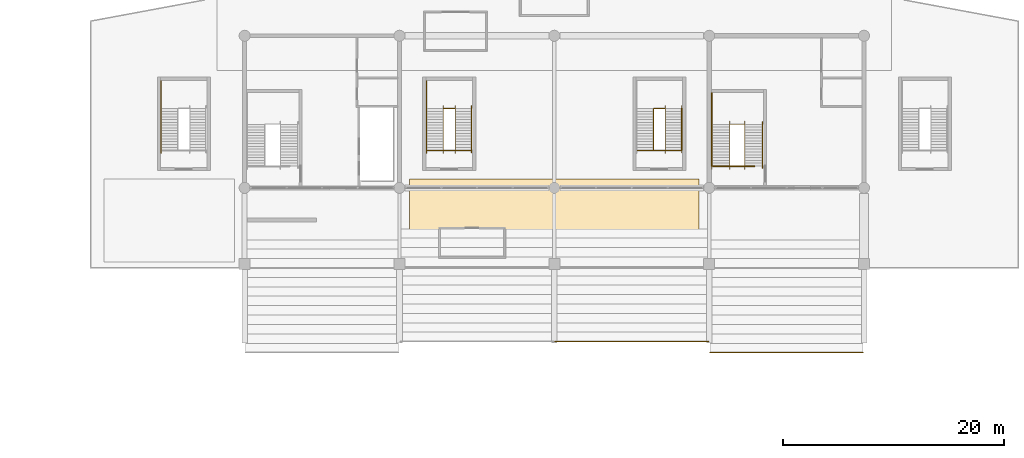
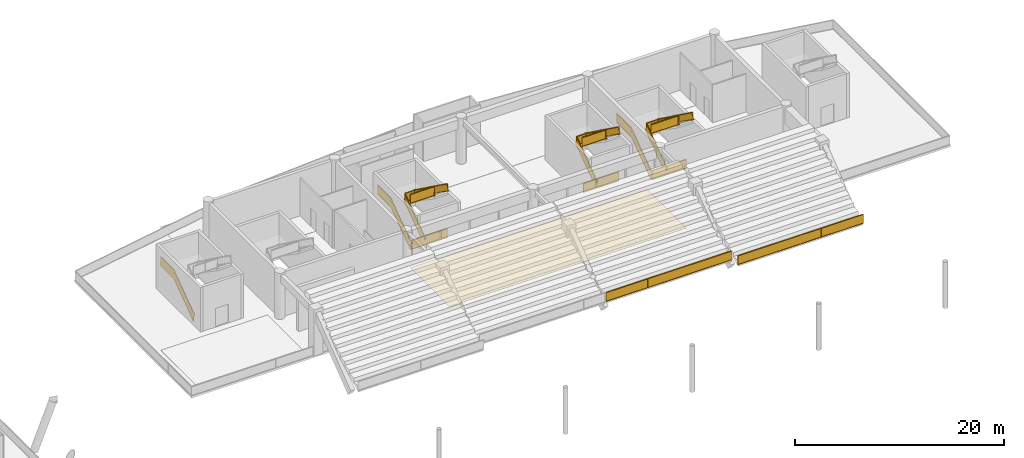
# One storey, part 115 of 117: 14 railings, 1 covering.
"""IFC4 building model written with IfcOpenShell, lengths in metres."""

import ifcopenshell
import ifcopenshell.guid

model = None  # the IFC model being written
_history = None  # IfcOwnerHistory: only IFC2X3 demands one
_inside = {}  # id of a spatial element -> (the spatial element, [elements in it])
_under = {}  # id of a project, library or spatial element -> (it, [spatial elements below it])
_declared = {}  # id of a project -> (the project, [libraries it declares])
_typed = {}  # id of a type object -> (the type object, [elements of that type])
_made_of = {}  # id of a material, layer set ... -> (it, [elements and type objects made of it])


def new_model(schema):
    """Start an empty IFC model of exactly this schema.

    Asked for "IFC4X3", IfcOpenShell would pick the latest addendum, in which some entities
    have other attributes; the version numbers below select the first issue.
    IFC2X3 requires an IfcOwnerHistory on every rooted entity: one is made here for all.
    """
    global model, _history
    if schema == "IFC4X3":
        model = ifcopenshell.file(schema_version=(4, 3, 0, 0))
    else:
        model = ifcopenshell.file(schema=schema)
    _inside.clear()
    _under.clear()
    _declared.clear()
    _typed.clear()
    _made_of.clear()
    _history = None
    if model.schema == "IFC2X3":
        org = make("IfcOrganization", Name="unknown")
        user = make(
            "IfcPersonAndOrganization",
            ThePerson=make("IfcPerson", FamilyName="unknown"),
            TheOrganization=org,
        )
        app = make(
            "IfcApplication",
            ApplicationDeveloper=org,
            Version="unknown",
            ApplicationFullName="unknown",
            ApplicationIdentifier="unknown",
        )
        _history = make(
            "IfcOwnerHistory",
            OwningUser=user,
            OwningApplication=app,
            ChangeAction="ADDED",
            CreationDate=0,
        )
    return model


def make(cls, **values):
    """One entity of the class cls with the attributes given. An attribute that is None is left unset."""
    return model.create_entity(
        cls, **{name: value for name, value in values.items() if value is not None}
    )


def rooted(cls, **values):
    """An entity with a GlobalId (a new one), such as an element, a storey or a relation."""
    return make(cls, GlobalId=ifcopenshell.guid.new(), OwnerHistory=_history, **values)


def si_unit(unit_type, name, prefix=None):
    """IfcSIUnit, for example si_unit("LENGTHUNIT", "METRE", prefix="MILLI")."""
    return make("IfcSIUnit", UnitType=unit_type, Prefix=prefix, Name=name)


def assignment(units):
    """IfcUnitAssignment: the units of a project."""
    return None if units is None else make("IfcUnitAssignment", Units=units)


def point(xyz):
    """IfcCartesianPoint."""
    return None if xyz is None else make("IfcCartesianPoint", Coordinates=xyz)


def direction(xyz):
    """IfcDirection."""
    return None if xyz is None else make("IfcDirection", DirectionRatios=xyz)


def frame(location, z_axis=None, x_axis=None):
    """IfcAxis2Placement3D, a coordinate frame: its origin and axes. An axis left out is left unset."""
    return make(
        "IfcAxis2Placement3D",
        Location=point(location),
        Axis=direction(z_axis),
        RefDirection=direction(x_axis),
    )


def frame_2d(location, x_axis=None):
    """IfcAxis2Placement2D, a coordinate frame in the plane: its origin and x axis."""
    return make(
        "IfcAxis2Placement2D", Location=point(location), RefDirection=direction(x_axis)
    )


def origin():
    """The frame at (0, 0, 0) with its axes left unset."""
    return frame((0.0, 0.0, 0.0))


def origin_2d():
    """The frame at (0, 0) in the plane with its x axis left unset."""
    return frame_2d((0.0, 0.0))


def place(relative_to, where):
    """IfcLocalPlacement: puts the frame where relative to a parent placement (None: the world)."""
    return make(
        "IfcLocalPlacement", PlacementRelTo=relative_to, RelativePlacement=where
    )


def context(
    kind, dimensions, precision=None, world=None, true_north=None, identifier=None
):
    """IfcGeometricRepresentationContext, for example the 3D "Model" context."""
    return make(
        "IfcGeometricRepresentationContext",
        ContextIdentifier=identifier,
        ContextType=kind,
        CoordinateSpaceDimension=dimensions,
        Precision=precision,
        WorldCoordinateSystem=world,
        TrueNorth=true_north,
    )


def subcontext(parent, identifier, kind, view, scale=None):
    """IfcGeometricRepresentationSubContext, for example "Body" below "Model"."""
    return make(
        "IfcGeometricRepresentationSubContext",
        ContextIdentifier=identifier,
        ContextType=kind,
        ParentContext=parent,
        TargetScale=scale,
        TargetView=view,
    )


def project(units=None, contexts=None):
    """IfcProject with its units and contexts."""
    return rooted(
        "IfcProject",
        Name="project",
        RepresentationContexts=contexts,
        UnitsInContext=assignment(units),
    )


def spatial(cls, under=None, at=None, **own):
    """A site, building, storey or space (cls), placed at a placement, below another one or the project."""
    s = rooted(cls, ObjectPlacement=at, **own)
    if under is not None:
        _under.setdefault(under.id(), (under, []))[1].append(s)
    return s


def polyline(points):
    """IfcPolyline through the points."""
    return make("IfcPolyline", Points=[point(p) for p in points])


def profile(cls, at=None, kind="AREA", **sizes):
    """A parametric profile (cls). Its sizes go by their IFC names, for example OverallWidth=200.0."""
    return make(cls, ProfileType=kind, Position=at, **sizes)


def rectangle(**sizes):
    """IfcRectangleProfileDef."""
    return profile("IfcRectangleProfileDef", **sizes)


def outline(outer, holes=None, kind="AREA"):
    """IfcArbitraryClosedProfileDef: a profile drawn as a closed curve; with holes, ...WithVoids."""
    if holes is None:
        return make("IfcArbitraryClosedProfileDef", ProfileType=kind, OuterCurve=outer)
    return make(
        "IfcArbitraryProfileDefWithVoids",
        ProfileType=kind,
        OuterCurve=outer,
        InnerCurves=holes,
    )


def extrude(swept, where, along, depth):
    """IfcExtrudedAreaSolid: the profile swept, set in the frame where, extruded along a direction by depth."""
    return make(
        "IfcExtrudedAreaSolid",
        SweptArea=swept,
        Position=where,
        ExtrudedDirection=direction(along),
        Depth=depth,
    )


def shape(context_of_items, identifier, shape_type, items):
    """IfcShapeRepresentation: the items that make up one representation, for example the "Body"."""
    return make(
        "IfcShapeRepresentation",
        ContextOfItems=context_of_items,
        RepresentationIdentifier=identifier,
        RepresentationType=shape_type,
        Items=items,
    )


def material(Name=None, Category=None):
    """IfcMaterial."""
    return make("IfcMaterial", Name=Name, Category=Category)


def layer(
    of_material, thickness, ventilated=None, Name=None, Category=None, Priority=None
):
    """IfcMaterialLayer: one layer of a wall or slab, of a material (None: an air gap)."""
    return make(
        "IfcMaterialLayer",
        Material=of_material,
        LayerThickness=thickness,
        IsVentilated=ventilated,
        Name=Name,
        Category=Category,
        Priority=Priority,
    )


def layer_set(layers, Name=None):
    """IfcMaterialLayerSet."""
    return make("IfcMaterialLayerSet", MaterialLayers=layers, LayerSetName=Name)


def made_of(thing, what):
    """Note that an element or type object is made of a material, layer set ...; save() writes the relation."""
    if what is not None:
        _made_of.setdefault(what.id(), (what, []))[1].append(thing)
    return thing


def type_object(cls, material=None, **own):
    """A type object (cls), such as IfcWallType, which elements share."""
    return made_of(rooted(cls, **own), material)


def element(
    cls,
    number,
    at=None,
    inside=None,
    cuts=None,
    type_object=None,
    material=None,
    context=None,
    identifier="Body",
    shape_type=None,
    held_by="IfcProductDefinitionShape",
    body=None,
    shapes=None,
    **own,
):
    """One element of the class cls, such as IfcWall. Its Tag is "e" and its number.

    at: its placement. inside: the storey or other place that contains it. cuts: it is an
    opening in that element (IfcRelVoidsElement). A single representation is given by context,
    identifier, shape_type and body (its items); several are given by shapes. held_by: the class
    of the entity that holds the representations. save() writes the other relations.
    """
    e = rooted(cls, Tag="e%d" % number, ObjectPlacement=at, **own)
    if body is not None:
        shapes = [shape(context, identifier, shape_type, body)]
    if shapes is not None:
        e.Representation = make(held_by, Representations=shapes)
    if inside is not None:
        _inside.setdefault(inside.id(), (inside, []))[1].append(e)
    if cuts is not None:
        rooted(
            "IfcRelVoidsElement", RelatingBuildingElement=cuts, RelatedOpeningElement=e
        )
    if type_object is not None:
        _typed.setdefault(type_object.id(), (type_object, []))[1].append(e)
    return made_of(e, material)


def aggregate(whole, parts):
    """IfcRelAggregates: a whole, such as a stair, and the parts it consists of."""
    return rooted("IfcRelAggregates", RelatingObject=whole, RelatedObjects=parts)


def save(model, path):
    """Write the relations noted so far, then the file.

    IfcRelAggregates (storeys below a building ...), IfcRelContainedInSpatialStructure (elements
    in a storey), IfcRelDefinesByType, IfcRelAssociatesMaterial and IfcRelDeclares: one each for
    every whole, place, type object, material and project.
    """
    for whole, parts in _under.values():
        aggregate(whole, parts)
    for where, things in _inside.values():
        rooted(
            "IfcRelContainedInSpatialStructure",
            RelatedElements=things,
            RelatingStructure=where,
        )
    for kind, things in _typed.values():
        rooted("IfcRelDefinesByType", RelatedObjects=things, RelatingType=kind)
    for what, things in _made_of.values():
        rooted("IfcRelAssociatesMaterial", RelatedObjects=things, RelatingMaterial=what)
    for by, libraries in _declared.values():
        rooted("IfcRelDeclares", RelatingContext=by, RelatedDefinitions=libraries)
    model.write(path)


model = new_model("IFC4")

# Units and contexts
model_context = context("Model", 3, precision=1e-05, world=origin(), true_north=direction((0.0, 1.0)))
body_context = subcontext(model_context, "Body", "Model", "MODEL_VIEW")
ifc_project = project(units=[si_unit("LENGTHUNIT", "METRE"), si_unit("AREAUNIT", "SQUARE_METRE"), si_unit("VOLUMEUNIT", "CUBIC_METRE"), si_unit("PLANEANGLEUNIT", "RADIAN"), si_unit("MASSUNIT", "GRAM", prefix="KILO")], contexts=[model_context])

# Site, building, storey
site_placement = place(None, origin())
site = spatial("IfcSite", under=ifc_project, at=site_placement, CompositionType="ELEMENT")
building_placement = place(site_placement, origin())
building = spatial("IfcBuilding", under=site, at=building_placement, Name="Linyun Crest Stadium", CompositionType="ELEMENT")
storey_placement = place(building_placement, frame((0.0, 0.0, 6.0)))
storey = spatial("IfcBuildingStorey", under=building, at=storey_placement, Name="L02", CompositionType="ELEMENT", Elevation=6.0)

# Covering
ifc_material_1 = material(Name="Terrazzo concourse and hospitality floor finish")
ifc_layer = layer(ifc_material_1, 0.02197265625)
ifc_layer_set = layer_set([ifc_layer], Name="Terrazzo concourse and hospitality floor finish")
covering_type = type_object("IfcCoveringType", Name="FLR02", PredefinedType="FLOORING", material=ifc_layer_set)
covering_placement = place(storey_placement, origin())
element("IfcCovering", 1, at=covering_placement, inside=storey, type_object=covering_type, Name="Terrazzo flooring FLR02 25", PredefinedType="FLOORING", context=body_context, shape_type="SweptSolid", body=[
    extrude(outline(polyline([(-13.10009765625, 84.800048828125), (13.10009765625, 84.800048828125), (13.10009765625, 92.300048828125), (-13.10009765625, 92.300048828125), (-13.10009765625, 84.800048828125)])), origin(), (0.0, 0.0, 1.0), 0.02197265625),
])

# Railings
ifc_material_2 = material(Name="Galvanized and powder-coated steel bowl safety barrier", Category="steel")
railing_type_1 = type_object("IfcRailingType", Name="GR02", PredefinedType="GUARDRAIL", material=ifc_material_2)
for number, where, name in (
    (2, (0.080078125, 77.60009765625, 0.35009765625), "Bowl front safety guard GR02 72"),
    (3, (14.080078125, 76.60009765625, 0.35009765625), "Bowl front safety guard GR02 79"),
):
    element("IfcRailing", number, at=place(storey_placement, frame(where)), inside=storey, type_object=railing_type_1, Name=name, PredefinedType="GUARDRAIL", context=body_context, shape_type="SweptSolid", body=[
        extrude(rectangle(XDim=0.06005859375, YDim=0.06005859375, at=origin_2d()), frame((0.0, 0.0, 1.090087890625), z_axis=(1.0, 0.0, 0.0), x_axis=(0.0, 1.0, 0.0)), (0.0, 0.0, 1.0), 13.83984375),
        extrude(rectangle(XDim=0.030029296875, YDim=1.0, at=origin_2d()), frame((0.0, 0.0, 0.56005859375), z_axis=(1.0, 0.0, 0.0), x_axis=(0.0, 1.0, 0.0)), (0.0, 0.0, 1.0), 13.83984375),
        extrude(rectangle(XDim=0.06005859375, YDim=0.06005859375, at=origin_2d()), frame((0.0, 0.0, 0.030029296875), z_axis=(1.0, 0.0, 0.0), x_axis=(0.0, 1.0, 0.0)), (0.0, 0.0, 1.0), 13.83984375),
        extrude(rectangle(XDim=0.050048828125, YDim=0.050048828125, at=origin_2d()), origin(), (0.0, 0.0, 1.0), 1.1201171875),
        extrude(rectangle(XDim=0.050048828125, YDim=0.050048828125, at=origin_2d()), frame((2.306640625, 0.0, 0.0)), (0.0, 0.0, 1.0), 1.1201171875),
        extrude(rectangle(XDim=0.050048828125, YDim=0.050048828125, at=origin_2d()), frame((4.61328125, 0.0, 0.0)), (0.0, 0.0, 1.0), 1.1201171875),
        extrude(rectangle(XDim=0.050048828125, YDim=0.050048828125, at=origin_2d()), frame((6.919921875, 0.0, 0.0)), (0.0, 0.0, 1.0), 1.1201171875),
        extrude(rectangle(XDim=0.050048828125, YDim=0.050048828125, at=origin_2d()), frame((9.2265625, 0.0, 0.0)), (0.0, 0.0, 1.0), 1.1201171875),
        extrude(rectangle(XDim=0.050048828125, YDim=0.050048828125, at=origin_2d()), frame((11.533203125, 0.0, 0.0)), (0.0, 0.0, 1.0), 1.1201171875),
        extrude(rectangle(XDim=0.050048828125, YDim=0.050048828125, at=origin_2d()), frame((13.83984375, 0.0, 0.0)), (0.0, 0.0, 1.0), 1.1201171875),
    ])
railing_1_placement = place(storey_placement, frame((14.340087890625, 93.4599609375, 0.0)))
element("IfcRailing", 4, at=railing_1_placement, inside=storey, type_object=railing_type_1, Name="Slab edge balustrade GR02 199", PredefinedType="GUARDRAIL", context=body_context, shape_type="SweptSolid", body=[
    extrude(rectangle(XDim=0.06005859375, YDim=0.06005859375, at=origin_2d()), frame((0.0, 0.0, 1.090087890625), z_axis=(1.0, 0.0, 0.0), x_axis=(0.0, 1.0, 0.0)), (0.0, 0.0, 1.0), 3.760009765625),
    extrude(rectangle(XDim=0.030029296875, YDim=1.0, at=origin_2d()), frame((0.0, 0.0, 0.56005859375), z_axis=(1.0, 0.0, 0.0), x_axis=(0.0, 1.0, 0.0)), (0.0, 0.0, 1.0), 3.760009765625),
    extrude(rectangle(XDim=0.06005859375, YDim=0.06005859375, at=origin_2d()), frame((0.0, 0.0, 0.030029296875), z_axis=(1.0, 0.0, 0.0), x_axis=(0.0, 1.0, 0.0)), (0.0, 0.0, 1.0), 3.760009765625),
    extrude(rectangle(XDim=0.050048828125, YDim=0.050048828125, at=origin_2d()), origin(), (0.0, 0.0, 1.0), 1.1201171875),
    extrude(rectangle(XDim=0.050048828125, YDim=0.050048828125, at=origin_2d()), frame((3.760009765625, 0.0, 0.0)), (0.0, 0.0, 1.0), 1.1201171875),
])
for number, where, name in (
    (5, (7.5400390625, 94.889892578125, 0.0), "Slab edge balustrade GR02 200"),
    (6, (-11.4599609375, 94.889892578125, 0.0), "Slab edge balustrade GR02 201"),
):
    element("IfcRailing", number, at=place(storey_placement, frame(where)), inside=storey, type_object=railing_type_1, Name=name, PredefinedType="GUARDRAIL", context=body_context, shape_type="SweptSolid", body=[
        extrude(rectangle(XDim=0.06005859375, YDim=0.06005859375, at=origin_2d()), frame((0.0, 0.0, 1.090087890625), z_axis=(1.0, 0.0, 0.0), x_axis=(0.0, 1.0, 0.0)), (0.0, 0.0, 1.0), 3.919921875),
        extrude(rectangle(XDim=0.030029296875, YDim=1.0, at=origin_2d()), frame((0.0, 0.0, 0.56005859375), z_axis=(1.0, 0.0, 0.0), x_axis=(0.0, 1.0, 0.0)), (0.0, 0.0, 1.0), 3.919921875),
        extrude(rectangle(XDim=0.06005859375, YDim=0.06005859375, at=origin_2d()), frame((0.0, 0.0, 0.030029296875), z_axis=(1.0, 0.0, 0.0), x_axis=(0.0, 1.0, 0.0)), (0.0, 0.0, 1.0), 3.919921875),
        extrude(rectangle(XDim=0.050048828125, YDim=0.050048828125, at=origin_2d()), origin(), (0.0, 0.0, 1.0), 1.1201171875),
        extrude(rectangle(XDim=0.050048828125, YDim=0.050048828125, at=origin_2d()), frame((3.919921875, 0.0, 0.0)), (0.0, 0.0, 1.0), 1.1201171875),
    ])
ifc_material_3 = material(Name="Painted steel stairwell safety guard", Category="steel")
railing_type_2 = type_object("IfcRailingType", Name="GR03", PredefinedType="GUARDRAIL", material=ifc_material_3)
railing_2_placement = place(storey_placement, frame((14.22998046875, 93.489990234375, 0.0)))
element("IfcRailing", 7, at=railing_2_placement, inside=storey, type_object=railing_type_2, Name="STR-08-L02 outer guard", PredefinedType="GUARDRAIL", context=body_context, shape_type="SweptSolid", body=[
    extrude(rectangle(XDim=0.06005859375, YDim=0.06005859375, at=origin_2d()), frame((0.0, 0.0, 1.090087890625), z_axis=(0.0, 0.811539352079, 0.584297766578), x_axis=(-1.0, 0.0, 0.0)), (0.0, 0.0, 1.0), 4.620849609375),
    extrude(rectangle(XDim=0.030029296875, YDim=1.0, at=origin_2d()), frame((0.0, 0.0, 0.56005859375), z_axis=(0.0, 0.811539352079, 0.584297766578), x_axis=(-1.0, 0.0, 0.0)), (0.0, 0.0, 1.0), 4.620849609375),
    extrude(rectangle(XDim=0.06005859375, YDim=0.06005859375, at=origin_2d()), frame((0.0, 0.0, 0.030029296875), z_axis=(0.0, 0.811539352079, 0.584297766578), x_axis=(-1.0, 0.0, 0.0)), (0.0, 0.0, 1.0), 4.620849609375),
    extrude(rectangle(XDim=0.06005859375, YDim=0.06005859375, at=origin_2d()), frame((0.0, 3.75, 3.7900390625), z_axis=(0.0, 1.0, 0.0), x_axis=(-1.0, 0.0, 0.0)), (0.0, 0.0, 1.0), 2.830078125),
    extrude(rectangle(XDim=0.030029296875, YDim=1.0, at=origin_2d()), frame((0.0, 3.75, 3.260009765625), z_axis=(0.0, 1.0, 0.0), x_axis=(-1.0, 0.0, 0.0)), (0.0, 0.0, 1.0), 2.830078125),
    extrude(rectangle(XDim=0.06005859375, YDim=0.06005859375, at=origin_2d()), frame((0.0, 3.75, 2.72998046875), z_axis=(0.0, 1.0, 0.0), x_axis=(-1.0, 0.0, 0.0)), (0.0, 0.0, 1.0), 2.830078125),
    extrude(rectangle(XDim=0.050048828125, YDim=0.050048828125, at=origin_2d()), origin(), (0.0, 0.0, 1.0), 1.1201171875),
    extrude(rectangle(XDim=0.050048828125, YDim=0.050048828125, at=origin_2d()), frame((0.0, 1.25, 0.89990234375)), (0.0, 0.0, 1.0), 1.1201171875),
    extrude(rectangle(XDim=0.050048828125, YDim=0.050048828125, at=origin_2d()), frame((0.0, 2.5, 1.800048828125)), (0.0, 0.0, 1.0), 1.1201171875),
    extrude(rectangle(XDim=0.050048828125, YDim=0.050048828125, at=origin_2d()), frame((0.0, 3.75, 2.699951171875)), (0.0, 0.0, 1.0), 1.1201171875),
    extrude(rectangle(XDim=0.050048828125, YDim=0.050048828125, at=origin_2d()), frame((0.0, 5.1650390625, 2.699951171875)), (0.0, 0.0, 1.0), 1.1201171875),
    extrude(rectangle(XDim=0.050048828125, YDim=0.050048828125, at=origin_2d()), frame((0.0, 6.580078125, 2.699951171875)), (0.0, 0.0, 1.0), 1.1201171875),
])
railing_3_placement = place(storey_placement, frame((15.8701171875, 93.469970703125, 0.0)))
element("IfcRailing", 8, at=railing_3_placement, inside=storey, type_object=railing_type_2, Name="STR-08-L02 inner well guard", PredefinedType="GUARDRAIL", context=body_context, shape_type="SweptSolid", body=[
    extrude(rectangle(XDim=0.06005859375, YDim=0.06005859375, at=origin_2d()), frame((0.0, 0.0, 1.090087890625), z_axis=(0.0, 0.813010693788, 0.582248754216), x_axis=(-1.0, 0.0, 0.0)), (0.0, 0.0, 1.0), 4.63720703125),
    extrude(rectangle(XDim=0.030029296875, YDim=1.0, at=origin_2d()), frame((0.0, 0.0, 0.56005859375), z_axis=(0.0, 0.813010693788, 0.582248754216), x_axis=(-1.0, 0.0, 0.0)), (0.0, 0.0, 1.0), 4.63720703125),
    extrude(rectangle(XDim=0.06005859375, YDim=0.06005859375, at=origin_2d()), frame((0.0, 0.0, 0.030029296875), z_axis=(0.0, 0.813010693788, 0.582248754216), x_axis=(-1.0, 0.0, 0.0)), (0.0, 0.0, 1.0), 4.63720703125),
    extrude(rectangle(XDim=0.06005859375, YDim=0.06005859375, at=origin_2d()), frame((0.0, 3.77001953125, 3.7900390625), z_axis=(1.0, 0.0, 0.0), x_axis=(0.0, 1.0, 0.0)), (0.0, 0.0, 1.0), 1.35986328125),
    extrude(rectangle(XDim=0.030029296875, YDim=1.0, at=origin_2d()), frame((0.0, 3.77001953125, 3.260009765625), z_axis=(1.0, 0.0, 0.0), x_axis=(0.0, 1.0, 0.0)), (0.0, 0.0, 1.0), 1.35986328125),
    extrude(rectangle(XDim=0.06005859375, YDim=0.06005859375, at=origin_2d()), frame((0.0, 3.77001953125, 2.72998046875), z_axis=(1.0, 0.0, 0.0), x_axis=(0.0, 1.0, 0.0)), (0.0, 0.0, 1.0), 1.35986328125),
    extrude(rectangle(XDim=0.06005859375, YDim=0.06005859375, at=origin_2d()), frame((1.35986328125, 3.77001953125, 3.7900390625), z_axis=(0.0, -0.813010693788, 0.582248754216), x_axis=(1.0, 0.0, 0.0)), (0.0, 0.0, 1.0), 4.63720703125),
    extrude(rectangle(XDim=0.030029296875, YDim=1.0, at=origin_2d()), frame((1.35986328125, 3.77001953125, 3.260009765625), z_axis=(0.0, -0.813010693788, 0.582248754216), x_axis=(1.0, 0.0, 0.0)), (0.0, 0.0, 1.0), 4.63720703125),
    extrude(rectangle(XDim=0.06005859375, YDim=0.06005859375, at=origin_2d()), frame((1.35986328125, 3.77001953125, 2.72998046875), z_axis=(0.0, -0.813010693788, 0.582248754216), x_axis=(1.0, 0.0, 0.0)), (0.0, 0.0, 1.0), 4.63720703125),
    extrude(rectangle(XDim=0.06005859375, YDim=0.06005859375, at=origin_2d()), frame((1.35986328125, 0.0, 6.489990234375), z_axis=(-1.0, 0.0, 0.0), x_axis=(0.0, -1.0, 0.0)), (0.0, 0.0, 1.0), 3.010009765625),
    extrude(rectangle(XDim=0.030029296875, YDim=1.0, at=origin_2d()), frame((1.35986328125, 0.0, 5.9599609375), z_axis=(-1.0, 0.0, 0.0), x_axis=(0.0, -1.0, 0.0)), (0.0, 0.0, 1.0), 3.010009765625),
    extrude(rectangle(XDim=0.06005859375, YDim=0.06005859375, at=origin_2d()), frame((1.35986328125, 0.0, 5.429931640625), z_axis=(-1.0, 0.0, 0.0), x_axis=(0.0, -1.0, 0.0)), (0.0, 0.0, 1.0), 3.010009765625),
    extrude(rectangle(XDim=0.050048828125, YDim=0.050048828125, at=origin_2d()), origin(), (0.0, 0.0, 1.0), 1.1201171875),
    extrude(rectangle(XDim=0.050048828125, YDim=0.050048828125, at=origin_2d()), frame((0.0, 1.256591796875, 0.89990234375)), (0.0, 0.0, 1.0), 1.1201171875),
    extrude(rectangle(XDim=0.050048828125, YDim=0.050048828125, at=origin_2d()), frame((0.0, 2.513427734375, 1.800048828125)), (0.0, 0.0, 1.0), 1.1201171875),
    extrude(rectangle(XDim=0.050048828125, YDim=0.050048828125, at=origin_2d()), frame((0.0, 3.77001953125, 2.699951171875)), (0.0, 0.0, 1.0), 1.1201171875),
    extrude(rectangle(XDim=0.050048828125, YDim=0.050048828125, at=origin_2d()), frame((1.35986328125, 3.77001953125, 2.699951171875)), (0.0, 0.0, 1.0), 1.1201171875),
    extrude(rectangle(XDim=0.050048828125, YDim=0.050048828125, at=origin_2d()), frame((1.35986328125, 2.513427734375, 3.599853515625)), (0.0, 0.0, 1.0), 1.1201171875),
    extrude(rectangle(XDim=0.050048828125, YDim=0.050048828125, at=origin_2d()), frame((1.35986328125, 1.256591796875, 4.5)), (0.0, 0.0, 1.0), 1.1201171875),
    extrude(rectangle(XDim=0.050048828125, YDim=0.050048828125, at=origin_2d()), frame((1.35986328125, 0.0, 5.39990234375)), (0.0, 0.0, 1.0), 1.1201171875),
    extrude(rectangle(XDim=0.050048828125, YDim=0.050048828125, at=origin_2d()), frame((-0.14501953125, 0.0, 5.39990234375)), (0.0, 0.0, 1.0), 1.1201171875),
    extrude(rectangle(XDim=0.050048828125, YDim=0.050048828125, at=origin_2d()), frame((-1.650146484375, 0.0, 5.39990234375)), (0.0, 0.0, 1.0), 1.1201171875),
])
railing_4_placement = place(storey_placement, frame((-35.570068359375, 94.919921875, 0.0)))
element("IfcRailing", 9, at=railing_4_placement, inside=storey, type_object=railing_type_2, Name="STR-23-L02 outer guard", PredefinedType="GUARDRAIL", context=body_context, shape_type="SweptSolid", body=[
    extrude(rectangle(XDim=0.06005859375, YDim=0.06005859375, at=origin_2d()), frame((0.0, 0.0, 1.090087890625), z_axis=(0.0, 0.811539352079, 0.584297766578), x_axis=(-1.0, 0.0, 0.0)), (0.0, 0.0, 1.0), 4.620849609375),
    extrude(rectangle(XDim=0.030029296875, YDim=1.0, at=origin_2d()), frame((0.0, 0.0, 0.56005859375), z_axis=(0.0, 0.811539352079, 0.584297766578), x_axis=(-1.0, 0.0, 0.0)), (0.0, 0.0, 1.0), 4.620849609375),
    extrude(rectangle(XDim=0.06005859375, YDim=0.06005859375, at=origin_2d()), frame((0.0, 0.0, 0.030029296875), z_axis=(0.0, 0.811539352079, 0.584297766578), x_axis=(-1.0, 0.0, 0.0)), (0.0, 0.0, 1.0), 4.620849609375),
    extrude(rectangle(XDim=0.06005859375, YDim=0.06005859375, at=origin_2d()), frame((0.0, 3.75, 3.7900390625), z_axis=(0.0, 1.0, 0.0), x_axis=(-1.0, 0.0, 0.0)), (0.0, 0.0, 1.0), 2.5),
    extrude(rectangle(XDim=0.030029296875, YDim=1.0, at=origin_2d()), frame((0.0, 3.75, 3.260009765625), z_axis=(0.0, 1.0, 0.0), x_axis=(-1.0, 0.0, 0.0)), (0.0, 0.0, 1.0), 2.5),
    extrude(rectangle(XDim=0.06005859375, YDim=0.06005859375, at=origin_2d()), frame((0.0, 3.75, 2.72998046875), z_axis=(0.0, 1.0, 0.0), x_axis=(-1.0, 0.0, 0.0)), (0.0, 0.0, 1.0), 2.5),
    extrude(rectangle(XDim=0.050048828125, YDim=0.050048828125, at=origin_2d()), origin(), (0.0, 0.0, 1.0), 1.1201171875),
    extrude(rectangle(XDim=0.050048828125, YDim=0.050048828125, at=origin_2d()), frame((0.0, 1.25, 0.89990234375)), (0.0, 0.0, 1.0), 1.1201171875),
    extrude(rectangle(XDim=0.050048828125, YDim=0.050048828125, at=origin_2d()), frame((0.0, 2.5, 1.800048828125)), (0.0, 0.0, 1.0), 1.1201171875),
    extrude(rectangle(XDim=0.050048828125, YDim=0.050048828125, at=origin_2d()), frame((0.0, 3.75, 2.699951171875)), (0.0, 0.0, 1.0), 1.1201171875),
    extrude(rectangle(XDim=0.050048828125, YDim=0.050048828125, at=origin_2d()), frame((0.0, 5.0, 2.699951171875)), (0.0, 0.0, 1.0), 1.1201171875),
    extrude(rectangle(XDim=0.050048828125, YDim=0.050048828125, at=origin_2d()), frame((0.0, 6.25, 2.699951171875)), (0.0, 0.0, 1.0), 1.1201171875),
])
railing_5_placement = place(storey_placement, frame((-11.570068359375, 94.919921875, 0.0)))
element("IfcRailing", 10, at=railing_5_placement, inside=storey, type_object=railing_type_2, Name="STR-24-L02 outer guard", PredefinedType="GUARDRAIL", context=body_context, shape_type="SweptSolid", body=[
    extrude(rectangle(XDim=0.06005859375, YDim=0.06005859375, at=origin_2d()), frame((0.0, 0.0, 1.090087890625), z_axis=(0.0, 0.811539352079, 0.584297766578), x_axis=(-1.0, 0.0, 0.0)), (0.0, 0.0, 1.0), 4.620849609375),
    extrude(rectangle(XDim=0.030029296875, YDim=1.0, at=origin_2d()), frame((0.0, 0.0, 0.56005859375), z_axis=(0.0, 0.811539352079, 0.584297766578), x_axis=(-1.0, 0.0, 0.0)), (0.0, 0.0, 1.0), 4.620849609375),
    extrude(rectangle(XDim=0.06005859375, YDim=0.06005859375, at=origin_2d()), frame((0.0, 0.0, 0.030029296875), z_axis=(0.0, 0.811539352079, 0.584297766578), x_axis=(-1.0, 0.0, 0.0)), (0.0, 0.0, 1.0), 4.620849609375),
    extrude(rectangle(XDim=0.06005859375, YDim=0.06005859375, at=origin_2d()), frame((0.0, 3.75, 3.7900390625), z_axis=(0.0, 1.0, 0.0), x_axis=(-1.0, 0.0, 0.0)), (0.0, 0.0, 1.0), 2.5),
    extrude(rectangle(XDim=0.030029296875, YDim=1.0, at=origin_2d()), frame((0.0, 3.75, 3.260009765625), z_axis=(0.0, 1.0, 0.0), x_axis=(-1.0, 0.0, 0.0)), (0.0, 0.0, 1.0), 2.5),
    extrude(rectangle(XDim=0.06005859375, YDim=0.06005859375, at=origin_2d()), frame((0.0, 3.75, 2.72998046875), z_axis=(0.0, 1.0, 0.0), x_axis=(-1.0, 0.0, 0.0)), (0.0, 0.0, 1.0), 2.5),
    extrude(rectangle(XDim=0.050048828125, YDim=0.050048828125, at=origin_2d()), origin(), (0.0, 0.0, 1.0), 1.1201171875),
    extrude(rectangle(XDim=0.050048828125, YDim=0.050048828125, at=origin_2d()), frame((0.0, 1.25, 0.89990234375)), (0.0, 0.0, 1.0), 1.1201171875),
    extrude(rectangle(XDim=0.050048828125, YDim=0.050048828125, at=origin_2d()), frame((0.0, 2.5, 1.800048828125)), (0.0, 0.0, 1.0), 1.1201171875),
    extrude(rectangle(XDim=0.050048828125, YDim=0.050048828125, at=origin_2d()), frame((0.0, 3.75, 2.699951171875)), (0.0, 0.0, 1.0), 1.1201171875),
    extrude(rectangle(XDim=0.050048828125, YDim=0.050048828125, at=origin_2d()), frame((0.0, 5.0, 2.699951171875)), (0.0, 0.0, 1.0), 1.1201171875),
    extrude(rectangle(XDim=0.050048828125, YDim=0.050048828125, at=origin_2d()), frame((0.0, 6.25, 2.699951171875)), (0.0, 0.0, 1.0), 1.1201171875),
])
railing_6_placement = place(storey_placement, frame((-10.030029296875, 94.89990234375, 0.0)))
element("IfcRailing", 11, at=railing_6_placement, inside=storey, type_object=railing_type_2, Name="STR-24-L02 inner well guard", PredefinedType="GUARDRAIL", context=body_context, shape_type="SweptSolid", body=[
    extrude(rectangle(XDim=0.06005859375, YDim=0.06005859375, at=origin_2d()), frame((0.0, 0.0, 1.090087890625), z_axis=(0.0, 0.813010693788, 0.582248754216), x_axis=(-1.0, 0.0, 0.0)), (0.0, 0.0, 1.0), 4.63720703125),
    extrude(rectangle(XDim=0.030029296875, YDim=1.0, at=origin_2d()), frame((0.0, 0.0, 0.56005859375), z_axis=(0.0, 0.813010693788, 0.582248754216), x_axis=(-1.0, 0.0, 0.0)), (0.0, 0.0, 1.0), 4.63720703125),
    extrude(rectangle(XDim=0.06005859375, YDim=0.06005859375, at=origin_2d()), frame((0.0, 0.0, 0.030029296875), z_axis=(0.0, 0.813010693788, 0.582248754216), x_axis=(-1.0, 0.0, 0.0)), (0.0, 0.0, 1.0), 4.63720703125),
    extrude(rectangle(XDim=0.06005859375, YDim=0.06005859375, at=origin_2d()), frame((0.0, 3.77001953125, 3.7900390625), z_axis=(1.0, 0.0, 0.0), x_axis=(0.0, 1.0, 0.0)), (0.0, 0.0, 1.0), 1.06005859375),
    extrude(rectangle(XDim=0.030029296875, YDim=1.0, at=origin_2d()), frame((0.0, 3.77001953125, 3.260009765625), z_axis=(1.0, 0.0, 0.0), x_axis=(0.0, 1.0, 0.0)), (0.0, 0.0, 1.0), 1.06005859375),
    extrude(rectangle(XDim=0.06005859375, YDim=0.06005859375, at=origin_2d()), frame((0.0, 3.77001953125, 2.72998046875), z_axis=(1.0, 0.0, 0.0), x_axis=(0.0, 1.0, 0.0)), (0.0, 0.0, 1.0), 1.06005859375),
    extrude(rectangle(XDim=0.06005859375, YDim=0.06005859375, at=origin_2d()), frame((1.06005859375, 3.77001953125, 3.7900390625), z_axis=(0.0, -0.813010693788, 0.582248754216), x_axis=(1.0, 0.0, 0.0)), (0.0, 0.0, 1.0), 4.63720703125),
    extrude(rectangle(XDim=0.030029296875, YDim=1.0, at=origin_2d()), frame((1.06005859375, 3.77001953125, 3.260009765625), z_axis=(0.0, -0.813010693788, 0.582248754216), x_axis=(1.0, 0.0, 0.0)), (0.0, 0.0, 1.0), 4.63720703125),
    extrude(rectangle(XDim=0.06005859375, YDim=0.06005859375, at=origin_2d()), frame((1.06005859375, 3.77001953125, 2.72998046875), z_axis=(0.0, -0.813010693788, 0.582248754216), x_axis=(1.0, 0.0, 0.0)), (0.0, 0.0, 1.0), 4.63720703125),
    extrude(rectangle(XDim=0.06005859375, YDim=0.06005859375, at=origin_2d()), frame((1.06005859375, 0.0, 6.489990234375), z_axis=(-1.0, 0.0, 0.0), x_axis=(0.0, -1.0, 0.0)), (0.0, 0.0, 1.0), 2.610107421875),
    extrude(rectangle(XDim=0.030029296875, YDim=1.0, at=origin_2d()), frame((1.06005859375, 0.0, 5.9599609375), z_axis=(-1.0, 0.0, 0.0), x_axis=(0.0, -1.0, 0.0)), (0.0, 0.0, 1.0), 2.610107421875),
    extrude(rectangle(XDim=0.06005859375, YDim=0.06005859375, at=origin_2d()), frame((1.06005859375, 0.0, 5.429931640625), z_axis=(-1.0, 0.0, 0.0), x_axis=(0.0, -1.0, 0.0)), (0.0, 0.0, 1.0), 2.610107421875),
    extrude(rectangle(XDim=0.050048828125, YDim=0.050048828125, at=origin_2d()), origin(), (0.0, 0.0, 1.0), 1.1201171875),
    extrude(rectangle(XDim=0.050048828125, YDim=0.050048828125, at=origin_2d()), frame((0.0, 1.256591796875, 0.89990234375)), (0.0, 0.0, 1.0), 1.1201171875),
    extrude(rectangle(XDim=0.050048828125, YDim=0.050048828125, at=origin_2d()), frame((0.0, 2.513427734375, 1.800048828125)), (0.0, 0.0, 1.0), 1.1201171875),
    extrude(rectangle(XDim=0.050048828125, YDim=0.050048828125, at=origin_2d()), frame((0.0, 3.77001953125, 2.699951171875)), (0.0, 0.0, 1.0), 1.1201171875),
    extrude(rectangle(XDim=0.050048828125, YDim=0.050048828125, at=origin_2d()), frame((1.06005859375, 3.77001953125, 2.699951171875)), (0.0, 0.0, 1.0), 1.1201171875),
    extrude(rectangle(XDim=0.050048828125, YDim=0.050048828125, at=origin_2d()), frame((1.06005859375, 2.513427734375, 3.599853515625)), (0.0, 0.0, 1.0), 1.1201171875),
    extrude(rectangle(XDim=0.050048828125, YDim=0.050048828125, at=origin_2d()), frame((1.06005859375, 1.256591796875, 4.5)), (0.0, 0.0, 1.0), 1.1201171875),
    extrude(rectangle(XDim=0.050048828125, YDim=0.050048828125, at=origin_2d()), frame((1.06005859375, 0.0, 5.39990234375)), (0.0, 0.0, 1.0), 1.1201171875),
    extrude(rectangle(XDim=0.050048828125, YDim=0.050048828125, at=origin_2d()), frame((-0.2451171875, 0.0, 5.39990234375)), (0.0, 0.0, 1.0), 1.1201171875),
    extrude(rectangle(XDim=0.050048828125, YDim=0.050048828125, at=origin_2d()), frame((-1.550048828125, 0.0, 5.39990234375)), (0.0, 0.0, 1.0), 1.1201171875),
])
railing_7_placement = place(storey_placement, frame((8.969970703125, 94.89990234375, 0.0)))
element("IfcRailing", 12, at=railing_7_placement, inside=storey, type_object=railing_type_2, Name="STR-25-L02 inner well guard", PredefinedType="GUARDRAIL", context=body_context, shape_type="SweptSolid", body=[
    extrude(rectangle(XDim=0.06005859375, YDim=0.06005859375, at=origin_2d()), frame((0.0, 0.0, 1.090087890625), z_axis=(0.0, 0.813010693788, 0.582248754216), x_axis=(-1.0, 0.0, 0.0)), (0.0, 0.0, 1.0), 4.63720703125),
    extrude(rectangle(XDim=0.030029296875, YDim=1.0, at=origin_2d()), frame((0.0, 0.0, 0.56005859375), z_axis=(0.0, 0.813010693788, 0.582248754216), x_axis=(-1.0, 0.0, 0.0)), (0.0, 0.0, 1.0), 4.63720703125),
    extrude(rectangle(XDim=0.06005859375, YDim=0.06005859375, at=origin_2d()), frame((0.0, 0.0, 0.030029296875), z_axis=(0.0, 0.813010693788, 0.582248754216), x_axis=(-1.0, 0.0, 0.0)), (0.0, 0.0, 1.0), 4.63720703125),
    extrude(rectangle(XDim=0.06005859375, YDim=0.06005859375, at=origin_2d()), frame((0.0, 3.77001953125, 3.7900390625), z_axis=(1.0, 0.0, 0.0), x_axis=(0.0, 1.0, 0.0)), (0.0, 0.0, 1.0), 1.06005859375),
    extrude(rectangle(XDim=0.030029296875, YDim=1.0, at=origin_2d()), frame((0.0, 3.77001953125, 3.260009765625), z_axis=(1.0, 0.0, 0.0), x_axis=(0.0, 1.0, 0.0)), (0.0, 0.0, 1.0), 1.06005859375),
    extrude(rectangle(XDim=0.06005859375, YDim=0.06005859375, at=origin_2d()), frame((0.0, 3.77001953125, 2.72998046875), z_axis=(1.0, 0.0, 0.0), x_axis=(0.0, 1.0, 0.0)), (0.0, 0.0, 1.0), 1.06005859375),
    extrude(rectangle(XDim=0.06005859375, YDim=0.06005859375, at=origin_2d()), frame((1.06005859375, 3.77001953125, 3.7900390625), z_axis=(0.0, -0.813010693788, 0.582248754216), x_axis=(1.0, 0.0, 0.0)), (0.0, 0.0, 1.0), 4.63720703125),
    extrude(rectangle(XDim=0.030029296875, YDim=1.0, at=origin_2d()), frame((1.06005859375, 3.77001953125, 3.260009765625), z_axis=(0.0, -0.813010693788, 0.582248754216), x_axis=(1.0, 0.0, 0.0)), (0.0, 0.0, 1.0), 4.63720703125),
    extrude(rectangle(XDim=0.06005859375, YDim=0.06005859375, at=origin_2d()), frame((1.06005859375, 3.77001953125, 2.72998046875), z_axis=(0.0, -0.813010693788, 0.582248754216), x_axis=(1.0, 0.0, 0.0)), (0.0, 0.0, 1.0), 4.63720703125),
    extrude(rectangle(XDim=0.06005859375, YDim=0.06005859375, at=origin_2d()), frame((1.06005859375, 0.0, 6.489990234375), z_axis=(-1.0, 0.0, 0.0), x_axis=(0.0, -1.0, 0.0)), (0.0, 0.0, 1.0), 2.610107421875),
    extrude(rectangle(XDim=0.030029296875, YDim=1.0, at=origin_2d()), frame((1.06005859375, 0.0, 5.9599609375), z_axis=(-1.0, 0.0, 0.0), x_axis=(0.0, -1.0, 0.0)), (0.0, 0.0, 1.0), 2.610107421875),
    extrude(rectangle(XDim=0.06005859375, YDim=0.06005859375, at=origin_2d()), frame((1.06005859375, 0.0, 5.429931640625), z_axis=(-1.0, 0.0, 0.0), x_axis=(0.0, -1.0, 0.0)), (0.0, 0.0, 1.0), 2.610107421875),
    extrude(rectangle(XDim=0.050048828125, YDim=0.050048828125, at=origin_2d()), origin(), (0.0, 0.0, 1.0), 1.1201171875),
    extrude(rectangle(XDim=0.050048828125, YDim=0.050048828125, at=origin_2d()), frame((0.0, 1.256591796875, 0.89990234375)), (0.0, 0.0, 1.0), 1.1201171875),
    extrude(rectangle(XDim=0.050048828125, YDim=0.050048828125, at=origin_2d()), frame((0.0, 2.513427734375, 1.800048828125)), (0.0, 0.0, 1.0), 1.1201171875),
    extrude(rectangle(XDim=0.050048828125, YDim=0.050048828125, at=origin_2d()), frame((0.0, 3.77001953125, 2.699951171875)), (0.0, 0.0, 1.0), 1.1201171875),
    extrude(rectangle(XDim=0.050048828125, YDim=0.050048828125, at=origin_2d()), frame((1.06005859375, 3.77001953125, 2.699951171875)), (0.0, 0.0, 1.0), 1.1201171875),
    extrude(rectangle(XDim=0.050048828125, YDim=0.050048828125, at=origin_2d()), frame((1.06005859375, 2.513427734375, 3.599853515625)), (0.0, 0.0, 1.0), 1.1201171875),
    extrude(rectangle(XDim=0.050048828125, YDim=0.050048828125, at=origin_2d()), frame((1.06005859375, 1.256591796875, 4.5)), (0.0, 0.0, 1.0), 1.1201171875),
    extrude(rectangle(XDim=0.050048828125, YDim=0.050048828125, at=origin_2d()), frame((1.06005859375, 0.0, 5.39990234375)), (0.0, 0.0, 1.0), 1.1201171875),
    extrude(rectangle(XDim=0.050048828125, YDim=0.050048828125, at=origin_2d()), frame((-0.2451171875, 0.0, 5.39990234375)), (0.0, 0.0, 1.0), 1.1201171875),
    extrude(rectangle(XDim=0.050048828125, YDim=0.050048828125, at=origin_2d()), frame((-1.550048828125, 0.0, 5.39990234375)), (0.0, 0.0, 1.0), 1.1201171875),
])
ifc_material_4 = material(Name="Brushed stainless steel tubular handrail", Category="steel")
railing_type_3 = type_object("IfcRailingType", Name="HR01", PredefinedType="HANDRAIL", material=ifc_material_4)
for number, where, name in (
    (13, (18.820068359375, 97.239990234375, 2.699951171875), "STR-08-L02 handrail"),
    (14, (-7.47998046875, 98.669921875, 2.699951171875), "STR-24-L02 handrail"),
    (15, (11.52001953125, 98.669921875, 2.699951171875), "STR-25-L02 handrail"),
):
    element("IfcRailing", number, at=place(storey_placement, frame(where)), inside=storey, type_object=railing_type_3, Name=name, PredefinedType="HANDRAIL", context=body_context, shape_type="SweptSolid", body=[
        extrude(rectangle(XDim=0.06005859375, YDim=0.06005859375, at=origin_2d()), frame((0.0, 0.0, 0.889892578125), z_axis=(0.0, -0.811539352079, 0.584297766578), x_axis=(1.0, 0.0, 0.0)), (0.0, 0.0, 1.0), 4.620849609375),
        extrude(rectangle(XDim=0.030029296875, YDim=0.7998046875, at=origin_2d()), frame((0.0, 0.0, 0.4599609375), z_axis=(0.0, -0.811539352079, 0.584297766578), x_axis=(1.0, 0.0, 0.0)), (0.0, 0.0, 1.0), 4.620849609375),
        extrude(rectangle(XDim=0.06005859375, YDim=0.06005859375, at=origin_2d()), frame((0.0, 0.0, 0.030029296875), z_axis=(0.0, -0.811539352079, 0.584297766578), x_axis=(1.0, 0.0, 0.0)), (0.0, 0.0, 1.0), 4.620849609375),
        extrude(rectangle(XDim=0.050048828125, YDim=0.050048828125, at=origin_2d()), origin(), (0.0, 0.0, 1.0), 0.919921875),
        extrude(rectangle(XDim=0.050048828125, YDim=0.050048828125, at=origin_2d()), frame((0.0, -1.25, 0.89990234375)), (0.0, 0.0, 1.0), 0.919921875),
        extrude(rectangle(XDim=0.050048828125, YDim=0.050048828125, at=origin_2d()), frame((0.0, -2.5, 1.800048828125)), (0.0, 0.0, 1.0), 0.919921875),
        extrude(rectangle(XDim=0.050048828125, YDim=0.050048828125, at=origin_2d()), frame((0.0, -3.75, 2.699951171875)), (0.0, 0.0, 1.0), 0.919921875),
    ])

save(model, "model.ifc")
